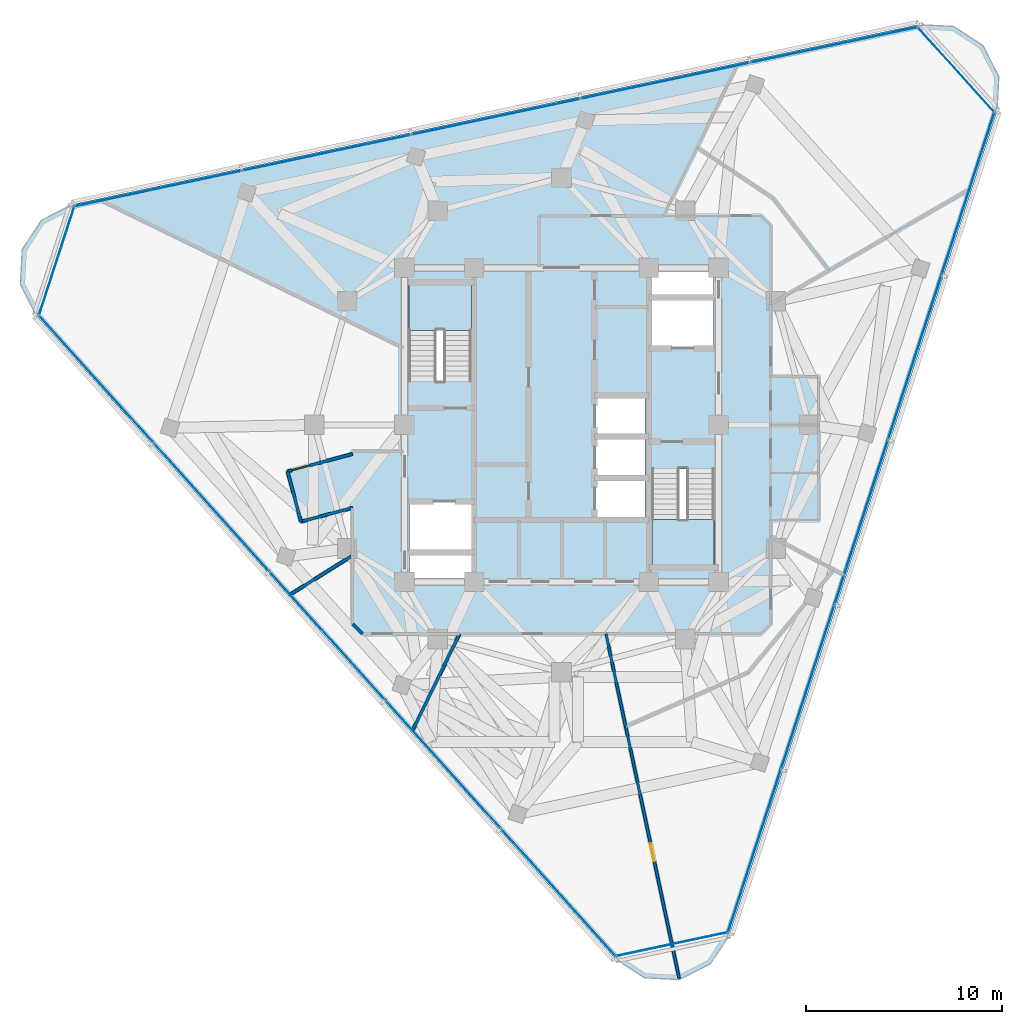
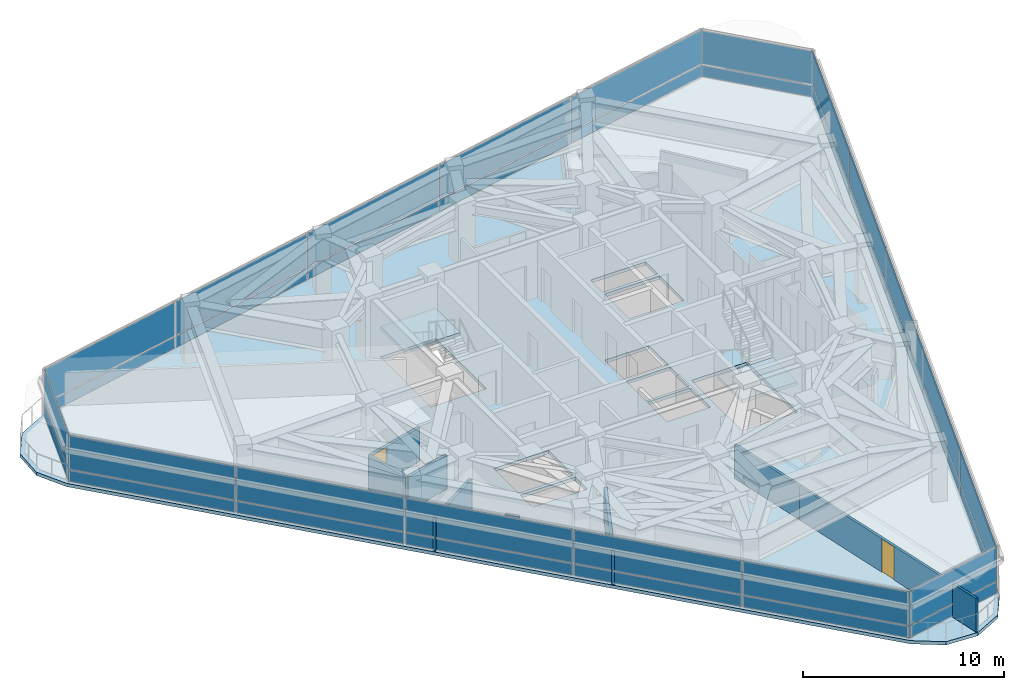
# One storey, part 7 of 15: 36 plates, 8 walls, 3 slabs, 2 doors, 2 openings, 8 elements without a shape of their own.
"""IFC4 building model written with IfcOpenShell, lengths in metres."""

from ifc_helpers import new_model, si_unit, direction, frame, frame_2d, origin, origin_2d, place, context, subcontext, project, spatial, polyline, rectangle, outline, extrude, material, layer, layer_set, type_object, element, fill, aggregate, save


model = new_model("IFC4")

# Units and contexts
model_context = context("Model", 3, precision=1e-05, world=origin(), true_north=direction((0.0, 1.0)))
body_context = subcontext(model_context, "Body", "Model", "MODEL_VIEW")
ifc_project = project(units=[si_unit("LENGTHUNIT", "METRE"), si_unit("AREAUNIT", "SQUARE_METRE"), si_unit("VOLUMEUNIT", "CUBIC_METRE"), si_unit("PLANEANGLEUNIT", "RADIAN"), si_unit("MASSUNIT", "GRAM", prefix="KILO")], contexts=[model_context])

# Site, building, storey
site_placement = place(None, origin())
site = spatial("IfcSite", under=ifc_project, at=site_placement, CompositionType="ELEMENT")
building_placement = place(site_placement, origin())
building = spatial("IfcBuilding", under=site, at=building_placement, Name="Terralouvre Media Tower", CompositionType="ELEMENT")
storey_placement = place(building_placement, frame((0.0, 0.0, 309.10009765625)))
storey = spatial("IfcBuildingStorey", under=building, at=storey_placement, Name="L80", CompositionType="ELEMENT", Elevation=309.10009765625)

# Slab
ifc_material_1 = material(Name="Concrete C40/50", Category="concrete")
ifc_layer_1 = layer(ifc_material_1, 0.199951171875, Name="Composite Tower Floor Slab S-TYP200")
ifc_layer_set_1 = layer_set([ifc_layer_1], Name="Concrete C40/50")
slab_type_1 = type_object("IfcSlabType", Name="Composite Tower Floor Slab S-TYP200", PredefinedType="FLOOR", material=ifc_layer_set_1)
slab_1_placement = place(storey_placement, frame((0.0, 0.0, -0.2001953125), z_axis=(0.0, 0.0, 1.0), x_axis=(0.309016994375, 0.951056516295, 0.0)))
element("IfcSlab", 1, at=slab_1_placement, inside=storey, type_object=slab_type_1, Name="L80 Structural Floor Slab", PredefinedType="FLOOR", context=body_context, shape_type="SweptSolid", body=[
    extrude(outline(polyline([(-25.0390625, -11.016357421875), (-25.5, -12.736328125), (-25.0390625, -14.456298828125), (-23.780029296875, -15.715576171875), (-22.06005859375, -16.17626953125), (22.06005859375, -16.17626953125), (23.780029296875, -15.715576171875), (25.0390625, -14.456298828125), (25.5, -12.736328125), (25.0390625, -11.016357421875), (2.97900390625, 27.192626953125), (1.719970703125, 28.451904296875), (0.0, 28.91259765625), (-1.719970703125, 28.451904296875), (-2.97900390625, 27.192626953125), (-25.0390625, -11.016357421875)]), holes=[polyline([(-7.698486328125, 2.33544921875), (-8.839599609375, 1.964599609375), (-9.813232421875, 4.96044921875), (-8.671875, 5.3310546875), (-7.698486328125, 2.33544921875)]), polyline([(-5.17822265625, 3.154296875), (-7.50830078125, 2.397216796875), (-8.481689453125, 5.39306640625), (-6.151611328125, 6.150146484375), (-5.17822265625, 3.154296875)]), polyline([(-5.483154296875, -6.618408203125), (-0.713623046875, -5.068603515625), (0.26904296875, -8.093017578125), (-4.50048828125, -9.642578125), (-5.483154296875, -6.618408203125)]), polyline([(-1.33056640625, -4.901123046875), (-3.17578125, -5.50048828125), (-3.9482421875, -3.122802734375), (-2.103271484375, -2.5234375), (-1.33056640625, -4.901123046875)]), polyline([(0.66650390625, -4.252197265625), (-1.178466796875, -4.8515625), (-1.950927734375, -2.473876953125), (-0.10595703125, -1.87451171875), (0.66650390625, -4.252197265625)]), polyline([(2.663818359375, -3.603271484375), (0.81884765625, -4.20263671875), (0.046142578125, -1.824951171875), (1.891357421875, -1.2255859375), (2.663818359375, -3.603271484375)]), polyline([(5.483154296875, 6.618408203125), (0.713623046875, 5.068603515625), (-0.26904296875, 8.093017578125), (4.50048828125, 9.642578125), (5.483154296875, 6.618408203125)]), polyline([(6.151611328125, -6.150146484375), (5.17822265625, -3.154296875), (7.50830078125, -2.397216796875), (8.481689453125, -5.39306640625), (6.151611328125, -6.150146484375)]), polyline([(8.671875, -5.3310546875), (7.698486328125, -2.33544921875), (8.839599609375, -1.964599609375), (9.813232421875, -4.96044921875), (8.671875, -5.3310546875)])]), origin(), (0.0, 0.0, 1.0), 0.2001953125),
])

# Stair, slab
ifc_material_2 = material(Name="Concrete C45/55", Category="concrete")
stair_type_1 = type_object("IfcStairType", Name="Dogleg Stair Assembly ST-01", PredefinedType="HALF_TURN_STAIR", material=ifc_material_2)
stair_1_placement = place(storey_placement, origin())
stair_1 = element("IfcStair", 2, at=stair_1_placement, inside=storey, type_object=stair_type_1, Name="L80 Core Pressurised Exit Stair ST-01", PredefinedType="HALF_TURN_STAIR")
ifc_material_3 = material(Name="Concrete C45/55", Category="concrete")
ifc_layer_2 = layer(ifc_material_3, 0.199951171875, Name="Reinforced Concrete Stair Half-Landing SL-LD1")
ifc_layer_set_2 = layer_set([ifc_layer_2], Name="Concrete C45/55")
slab_type_2 = type_object("IfcSlabType", Name="Reinforced Concrete Stair Half-Landing SL-LD1", PredefinedType="LANDING", material=ifc_layer_set_2)
slab_2_placement = place(storey_placement, frame((0.0, 0.0, 1.64990234375)))
slab_2 = element("IfcSlab", 3, at=slab_2_placement, type_object=slab_type_2, Name="ST-01 landing 1", PredefinedType="LANDING", context=body_context, shape_type="SweptSolid", body=[
    extrude(outline(polyline([(-4.60009765625, 4.820068359375), (-4.60009765625, 7.260009765625), (-7.780029296875, 7.260009765625), (-7.780029296875, 4.820068359375), (-4.60009765625, 4.820068359375)])), origin(), (0.0, 0.0, 1.0), 0.199951171875),
])
aggregate(stair_1, [slab_2])

ifc_material_4 = material(Name="Concrete C45/55", Category="concrete")
stair_type_2 = type_object("IfcStairType", Name="Dogleg Stair Assembly ST-02", PredefinedType="HALF_TURN_STAIR", material=ifc_material_4)
stair_2_placement = place(storey_placement, origin())
stair_2 = element("IfcStair", 4, at=stair_2_placement, inside=storey, type_object=stair_type_2, Name="L80 Core Pressurised Exit Stair ST-02", PredefinedType="HALF_TURN_STAIR")
slab_3_placement = place(storey_placement, frame((0.0, 0.0, 1.64990234375)))
slab_3 = element("IfcSlab", 5, at=slab_3_placement, type_object=slab_type_2, Name="ST-02 landing 1", PredefinedType="LANDING", context=body_context, shape_type="SweptSolid", body=[
    extrude(outline(polyline([(4.60009765625, -4.820068359375), (4.60009765625, -7.260009765625), (7.780029296875, -7.260009765625), (7.780029296875, -4.820068359375), (4.60009765625, -4.820068359375)])), origin(), (0.0, 0.0, 1.0), 0.199951171875),
])
aggregate(stair_2, [slab_3])

# Curtain wall, plates
ifc_material_5 = material(Name="Low-iron laminated double glazing with solar-control coating", Category="glass")
ifc_layer_3 = layer(ifc_material_5, 0.1650390625, Name="Rounded Wind-Corner Curved Glazing CW-04")
ifc_layer_set_3 = layer_set([ifc_layer_3], Name="Low-iron laminated double glazing with solar-control coating")
curtain_wall_type_1 = type_object("IfcCurtainWallType", Name="Rounded Wind-Corner Curved Glazing CW-04", PredefinedType="NOTDEFINED", material=ifc_layer_set_3)
curtain_wall_1_placement = place(storey_placement, origin())
curtain_wall_1 = element("IfcCurtainWall", 6, at=curtain_wall_1_placement, inside=storey, type_object=curtain_wall_type_1, Name="L80 Rounded Wind-Corner Curtain Wall C0", PredefinedType="NOTDEFINED")
ifc_material_6 = material(Name="Low-iron laminated double glazing with solar-control coating", Category="glass")
ifc_layer_4 = layer(ifc_material_6, 0.0400390625, Name="Rounded Corner Laminated Vision Panel CWP-03")
ifc_layer_set_4 = layer_set([ifc_layer_4], Name="Low-iron laminated double glazing with solar-control coating")
plate_type_1 = type_object("IfcPlateType", Name="Rounded Corner Laminated Vision Panel CWP-03", PredefinedType="CURTAIN_PANEL", material=ifc_layer_set_4)
plate_1_placement = place(storey_placement, frame((5.62451171875, -26.46142578125, 0.074951171875), z_axis=(0.0, 0.0, 1.0), x_axis=(0.978147609922, 0.207911647592, 0.0)))
plate_1 = element("IfcPlate", 7, at=plate_1_placement, type_object=plate_type_1, Name="CW-04 panel 1.1", PredefinedType="CURTAIN_PANEL", context=body_context, shape_type="SweptSolid", body=[
    extrude(rectangle(XDim=5.808349609375, YDim=0.035888671875, at=origin_2d()), origin(), (0.0, 0.0, 1.0), 0.6875),
])
plate_2_placement = place(storey_placement, frame((5.62451171875, -26.46142578125, 0.83740234375), z_axis=(0.0, 0.0, 1.0), x_axis=(0.978147609922, 0.207911647592, 0.0)))
plate_2 = element("IfcPlate", 8, at=plate_2_placement, type_object=plate_type_1, Name="CW-04 panel 1.2", PredefinedType="CURTAIN_PANEL", context=body_context, shape_type="SweptSolid", body=[
    extrude(rectangle(XDim=5.808349609375, YDim=0.035888671875, at=origin_2d()), origin(), (0.0, 0.0, 1.0), 2.027587890625),
])
aggregate(curtain_wall_1, [plate_1, plate_2])

curtain_wall_2_placement = place(storey_placement, origin())
curtain_wall_2 = element("IfcCurtainWall", 9, at=curtain_wall_2_placement, inside=storey, type_object=curtain_wall_type_1, Name="L80 Rounded Wind-Corner Curtain Wall C1", PredefinedType="NOTDEFINED")
plate_3_placement = place(storey_placement, frame((20.10400390625, 18.101806640625, 0.074951171875), z_axis=(0.0, 0.0, 1.0), x_axis=(-0.669130231192, 0.743145163279, 0.0)))
plate_3 = element("IfcPlate", 10, at=plate_3_placement, type_object=plate_type_1, Name="CW-04 panel 1.1", PredefinedType="CURTAIN_PANEL", context=body_context, shape_type="SweptSolid", body=[
    extrude(rectangle(XDim=5.808349609375, YDim=0.035888671875, at=origin_2d()), origin(), (0.0, 0.0, 1.0), 0.6875),
])
plate_4_placement = place(storey_placement, frame((20.10400390625, 18.101806640625, 0.83740234375), z_axis=(0.0, 0.0, 1.0), x_axis=(-0.669130231192, 0.743145163279, 0.0)))
plate_4 = element("IfcPlate", 11, at=plate_4_placement, type_object=plate_type_1, Name="CW-04 panel 1.2", PredefinedType="CURTAIN_PANEL", context=body_context, shape_type="SweptSolid", body=[
    extrude(rectangle(XDim=5.808349609375, YDim=0.035888671875, at=origin_2d()), origin(), (0.0, 0.0, 1.0), 2.027587890625),
])
aggregate(curtain_wall_2, [plate_3, plate_4])

curtain_wall_3_placement = place(storey_placement, origin())
curtain_wall_3 = element("IfcCurtainWall", 12, at=curtain_wall_3_placement, inside=storey, type_object=curtain_wall_type_1, Name="L80 Rounded Wind-Corner Curtain Wall C2", PredefinedType="NOTDEFINED")
plate_5_placement = place(storey_placement, frame((-25.728759765625, 8.359619140625, 0.074951171875), z_axis=(0.0, 0.0, 1.0), x_axis=(-0.30901654693, -0.951056661679, 0.0)))
plate_5 = element("IfcPlate", 13, at=plate_5_placement, type_object=plate_type_1, Name="CW-04 panel 1.1", PredefinedType="CURTAIN_PANEL", context=body_context, shape_type="SweptSolid", body=[
    extrude(rectangle(XDim=5.808349609375, YDim=0.035888671875, at=origin_2d()), origin(), (0.0, 0.0, 1.0), 0.6875),
])
plate_6_placement = place(storey_placement, frame((-25.728759765625, 8.359619140625, 0.83740234375), z_axis=(0.0, 0.0, 1.0), x_axis=(-0.30901654693, -0.951056661679, 0.0)))
plate_6 = element("IfcPlate", 14, at=plate_6_placement, type_object=plate_type_1, Name="CW-04 panel 1.2", PredefinedType="CURTAIN_PANEL", context=body_context, shape_type="SweptSolid", body=[
    extrude(rectangle(XDim=5.808349609375, YDim=0.035888671875, at=origin_2d()), origin(), (0.0, 0.0, 1.0), 2.027587890625),
])
aggregate(curtain_wall_3, [plate_5, plate_6])

ifc_material_7 = material(Name="Low-iron laminated double glazing with solar-control coating", Category="glass")
ifc_layer_5 = layer(ifc_material_7, 0.1650390625, Name="Faceted Glass-Point Crown Curtain Wall CW-06")
ifc_layer_set_5 = layer_set([ifc_layer_5], Name="Low-iron laminated double glazing with solar-control coating")
curtain_wall_type_2 = type_object("IfcCurtainWallType", Name="Faceted Glass-Point Crown Curtain Wall CW-06", PredefinedType="NOTDEFINED", material=ifc_layer_set_5)
curtain_wall_4_placement = place(storey_placement, origin())
curtain_wall_4 = element("IfcCurtainWall", 15, at=curtain_wall_4_placement, inside=storey, type_object=curtain_wall_type_2, Name="L80 Facade Curtain Wall F0", PredefinedType="NOTDEFINED")
ifc_material_8 = material(Name="Low-iron laminated double glazing with solar-control coating", Category="glass")
ifc_layer_6 = layer(ifc_material_8, 0.035888671875, Name="Vision Double-Glazed Unit CWP-01")
ifc_layer_set_6 = layer_set([ifc_layer_6], Name="Low-iron laminated double glazing with solar-control coating")
plate_type_2 = type_object("IfcPlateType", Name="Vision Double-Glazed Unit CWP-01", PredefinedType="CURTAIN_PANEL", material=ifc_layer_set_6)
plate_7_placement = place(storey_placement, frame((9.82275390625, -21.72802734375, 0.074951171875), z_axis=(0.0, 0.0, 1.0), x_axis=(0.309017021946, 0.951056507337, 0.0)))
plate_7 = element("IfcPlate", 16, at=plate_7_placement, type_object=plate_type_2, Name="CW-06 panel 1.1", PredefinedType="CURTAIN_PANEL", context=body_context, shape_type="SweptSolid", body=[
    extrude(rectangle(XDim=8.71142578125, YDim=0.035888671875, at=origin_2d()), origin(), (0.0, 0.0, 1.0), 0.6875),
])
plate_8_placement = place(storey_placement, frame((9.82275390625, -21.72802734375, 0.83740234375), z_axis=(0.0, 0.0, 1.0), x_axis=(0.309017021946, 0.951056507337, 0.0)))
plate_8 = element("IfcPlate", 17, at=plate_8_placement, type_object=plate_type_2, Name="CW-06 panel 1.2", PredefinedType="CURTAIN_PANEL", context=body_context, shape_type="SweptSolid", body=[
    extrude(rectangle(XDim=8.71142578125, YDim=0.035888671875, at=origin_2d()), origin(), (0.0, 0.0, 1.0), 2.027587890625),
])
plate_9_placement = place(storey_placement, frame((12.543701171875, -13.353759765625, 0.074951171875), z_axis=(0.0, 0.0, 1.0), x_axis=(0.309017021946, 0.951056507337, 0.0)))
plate_9 = element("IfcPlate", 18, at=plate_9_placement, type_object=plate_type_2, Name="CW-06 panel 2.1", PredefinedType="CURTAIN_PANEL", context=body_context, shape_type="SweptSolid", body=[
    extrude(rectangle(XDim=8.7490234375, YDim=0.035888671875, at=origin_2d()), origin(), (0.0, 0.0, 1.0), 0.6875),
])
plate_10_placement = place(storey_placement, frame((12.543701171875, -13.353759765625, 0.83740234375), z_axis=(0.0, 0.0, 1.0), x_axis=(0.309017021946, 0.951056507337, 0.0)))
plate_10 = element("IfcPlate", 19, at=plate_10_placement, type_object=plate_type_2, Name="CW-06 panel 2.2", PredefinedType="CURTAIN_PANEL", context=body_context, shape_type="SweptSolid", body=[
    extrude(rectangle(XDim=8.7490234375, YDim=0.035888671875, at=origin_2d()), origin(), (0.0, 0.0, 1.0), 2.027587890625),
])
plate_11_placement = place(storey_placement, frame((15.2705078125, -4.961669921875, 0.074951171875), z_axis=(0.0, 0.0, 1.0), x_axis=(0.309017021946, 0.951056507337, 0.0)))
plate_11 = element("IfcPlate", 20, at=plate_11_placement, type_object=plate_type_2, Name="CW-06 panel 3.1", PredefinedType="CURTAIN_PANEL", context=body_context, shape_type="SweptSolid", body=[
    extrude(rectangle(XDim=8.7490234375, YDim=0.035888671875, at=origin_2d()), origin(), (0.0, 0.0, 1.0), 0.6875),
])
plate_12_placement = place(storey_placement, frame((15.2705078125, -4.961669921875, 0.83740234375), z_axis=(0.0, 0.0, 1.0), x_axis=(0.309017021946, 0.951056507337, 0.0)))
plate_12 = element("IfcPlate", 21, at=plate_12_placement, type_object=plate_type_2, Name="CW-06 panel 3.2", PredefinedType="CURTAIN_PANEL", context=body_context, shape_type="SweptSolid", body=[
    extrude(rectangle(XDim=8.7490234375, YDim=0.035888671875, at=origin_2d()), origin(), (0.0, 0.0, 1.0), 2.027587890625),
])
plate_13_placement = place(storey_placement, frame((17.997314453125, 3.430419921875, 0.074951171875), z_axis=(0.0, 0.0, 1.0), x_axis=(0.309017021946, 0.951056507337, 0.0)))
plate_13 = element("IfcPlate", 22, at=plate_13_placement, type_object=plate_type_2, Name="CW-06 panel 4.1", PredefinedType="CURTAIN_PANEL", context=body_context, shape_type="SweptSolid", body=[
    extrude(rectangle(XDim=8.7490234375, YDim=0.035888671875, at=origin_2d()), origin(), (0.0, 0.0, 1.0), 0.6875),
])
plate_14_placement = place(storey_placement, frame((17.997314453125, 3.430419921875, 0.83740234375), z_axis=(0.0, 0.0, 1.0), x_axis=(0.309017021946, 0.951056507337, 0.0)))
plate_14 = element("IfcPlate", 23, at=plate_14_placement, type_object=plate_type_2, Name="CW-06 panel 4.2", PredefinedType="CURTAIN_PANEL", context=body_context, shape_type="SweptSolid", body=[
    extrude(rectangle(XDim=8.7490234375, YDim=0.035888671875, at=origin_2d()), origin(), (0.0, 0.0, 1.0), 2.027587890625),
])
plate_15_placement = place(storey_placement, frame((20.71826171875, 11.8046875, 0.074951171875), z_axis=(0.0, 0.0, 1.0), x_axis=(0.309017021946, 0.951056507337, 0.0)))
plate_15 = element("IfcPlate", 24, at=plate_15_placement, type_object=plate_type_2, Name="CW-06 panel 5.1", PredefinedType="CURTAIN_PANEL", context=body_context, shape_type="SweptSolid", body=[
    extrude(rectangle(XDim=8.71142578125, YDim=0.035888671875, at=origin_2d()), origin(), (0.0, 0.0, 1.0), 0.6875),
])
plate_16_placement = place(storey_placement, frame((20.71826171875, 11.8046875, 0.83740234375), z_axis=(0.0, 0.0, 1.0), x_axis=(0.309017021946, 0.951056507337, 0.0)))
plate_16 = element("IfcPlate", 25, at=plate_16_placement, type_object=plate_type_2, Name="CW-06 panel 5.2", PredefinedType="CURTAIN_PANEL", context=body_context, shape_type="SweptSolid", body=[
    extrude(rectangle(XDim=8.71142578125, YDim=0.035888671875, at=origin_2d()), origin(), (0.0, 0.0, 1.0), 2.027587890625),
])
aggregate(curtain_wall_4, [plate_7, plate_8, plate_9, plate_10, plate_11, plate_12, plate_13, plate_14, plate_15, plate_16])

curtain_wall_5_placement = place(storey_placement, origin())
curtain_wall_5 = element("IfcCurtainWall", 26, at=curtain_wall_5_placement, inside=storey, type_object=curtain_wall_type_2, Name="L80 Facade Curtain Wall F1", PredefinedType="NOTDEFINED")
plate_17_placement = place(storey_placement, frame((13.90576171875, 19.370849609375, 0.074951171875), z_axis=(0.0, 0.0, 1.0), x_axis=(-0.978147616145, -0.207911618313, 0.0)))
plate_17 = element("IfcPlate", 27, at=plate_17_placement, type_object=plate_type_2, Name="CW-06 panel 1.1", PredefinedType="CURTAIN_PANEL", context=body_context, shape_type="SweptSolid", body=[
    extrude(rectangle(XDim=8.71142578125, YDim=0.035888671875, at=origin_2d()), origin(), (0.0, 0.0, 1.0), 0.6875),
])
plate_18_placement = place(storey_placement, frame((13.90576171875, 19.370849609375, 0.83740234375), z_axis=(0.0, 0.0, 1.0), x_axis=(-0.978147616145, -0.207911618313, 0.0)))
plate_18 = element("IfcPlate", 28, at=plate_18_placement, type_object=plate_type_2, Name="CW-06 panel 1.2", PredefinedType="CURTAIN_PANEL", context=body_context, shape_type="SweptSolid", body=[
    extrude(rectangle(XDim=8.71142578125, YDim=0.035888671875, at=origin_2d()), origin(), (0.0, 0.0, 1.0), 2.027587890625),
])
plate_19_placement = place(storey_placement, frame((5.29296875, 17.5400390625, 0.074951171875), z_axis=(0.0, 0.0, 1.0), x_axis=(-0.978147616145, -0.207911618313, 0.0)))
plate_19 = element("IfcPlate", 29, at=plate_19_placement, type_object=plate_type_2, Name="CW-06 panel 2.1", PredefinedType="CURTAIN_PANEL", context=body_context, shape_type="SweptSolid", body=[
    extrude(rectangle(XDim=8.7490234375, YDim=0.035888671875, at=origin_2d()), origin(), (0.0, 0.0, 1.0), 0.6875),
])
plate_20_placement = place(storey_placement, frame((5.29296875, 17.5400390625, 0.83740234375), z_axis=(0.0, 0.0, 1.0), x_axis=(-0.978147616145, -0.207911618313, 0.0)))
plate_20 = element("IfcPlate", 30, at=plate_20_placement, type_object=plate_type_2, Name="CW-06 panel 2.2", PredefinedType="CURTAIN_PANEL", context=body_context, shape_type="SweptSolid", body=[
    extrude(rectangle(XDim=8.7490234375, YDim=0.035888671875, at=origin_2d()), origin(), (0.0, 0.0, 1.0), 2.027587890625),
])
plate_21_placement = place(storey_placement, frame((-3.33837890625, 15.70556640625, 0.074951171875), z_axis=(0.0, 0.0, 1.0), x_axis=(-0.978147616145, -0.207911618313, 0.0)))
plate_21 = element("IfcPlate", 31, at=plate_21_placement, type_object=plate_type_2, Name="CW-06 panel 3.1", PredefinedType="CURTAIN_PANEL", context=body_context, shape_type="SweptSolid", body=[
    extrude(rectangle(XDim=8.7490234375, YDim=0.035888671875, at=origin_2d()), origin(), (0.0, 0.0, 1.0), 0.6875),
])
plate_22_placement = place(storey_placement, frame((-3.33837890625, 15.70556640625, 0.83740234375), z_axis=(0.0, 0.0, 1.0), x_axis=(-0.978147616145, -0.207911618313, 0.0)))
plate_22 = element("IfcPlate", 32, at=plate_22_placement, type_object=plate_type_2, Name="CW-06 panel 3.2", PredefinedType="CURTAIN_PANEL", context=body_context, shape_type="SweptSolid", body=[
    extrude(rectangle(XDim=8.7490234375, YDim=0.035888671875, at=origin_2d()), origin(), (0.0, 0.0, 1.0), 2.027587890625),
])
plate_23_placement = place(storey_placement, frame((-11.969482421875, 13.870849609375, 0.074951171875), z_axis=(0.0, 0.0, 1.0), x_axis=(-0.978147616145, -0.207911618313, 0.0)))
plate_23 = element("IfcPlate", 33, at=plate_23_placement, type_object=plate_type_2, Name="CW-06 panel 4.1", PredefinedType="CURTAIN_PANEL", context=body_context, shape_type="SweptSolid", body=[
    extrude(rectangle(XDim=8.7490234375, YDim=0.035888671875, at=origin_2d()), origin(), (0.0, 0.0, 1.0), 0.6875),
])
plate_24_placement = place(storey_placement, frame((-11.969482421875, 13.870849609375, 0.83740234375), z_axis=(0.0, 0.0, 1.0), x_axis=(-0.978147616145, -0.207911618313, 0.0)))
plate_24 = element("IfcPlate", 34, at=plate_24_placement, type_object=plate_type_2, Name="CW-06 panel 4.2", PredefinedType="CURTAIN_PANEL", context=body_context, shape_type="SweptSolid", body=[
    extrude(rectangle(XDim=8.7490234375, YDim=0.035888671875, at=origin_2d()), origin(), (0.0, 0.0, 1.0), 2.027587890625),
])
plate_25_placement = place(storey_placement, frame((-20.582275390625, 12.0400390625, 0.074951171875), z_axis=(0.0, 0.0, 1.0), x_axis=(-0.978147616145, -0.207911618313, 0.0)))
plate_25 = element("IfcPlate", 35, at=plate_25_placement, type_object=plate_type_2, Name="CW-06 panel 5.1", PredefinedType="CURTAIN_PANEL", context=body_context, shape_type="SweptSolid", body=[
    extrude(rectangle(XDim=8.71142578125, YDim=0.035888671875, at=origin_2d()), origin(), (0.0, 0.0, 1.0), 0.6875),
])
plate_26_placement = place(storey_placement, frame((-20.582275390625, 12.0400390625, 0.83740234375), z_axis=(0.0, 0.0, 1.0), x_axis=(-0.978147616145, -0.207911618313, 0.0)))
plate_26 = element("IfcPlate", 36, at=plate_26_placement, type_object=plate_type_2, Name="CW-06 panel 5.2", PredefinedType="CURTAIN_PANEL", context=body_context, shape_type="SweptSolid", body=[
    extrude(rectangle(XDim=8.71142578125, YDim=0.035888671875, at=origin_2d()), origin(), (0.0, 0.0, 1.0), 2.027587890625),
])
aggregate(curtain_wall_5, [plate_17, plate_18, plate_19, plate_20, plate_21, plate_22, plate_23, plate_24, plate_25, plate_26])

curtain_wall_6_placement = place(storey_placement, origin())
curtain_wall_6 = element("IfcCurtainWall", 37, at=curtain_wall_6_placement, inside=storey, type_object=curtain_wall_type_2, Name="L80 Facade Curtain Wall F2", PredefinedType="NOTDEFINED")
plate_27_placement = place(storey_placement, frame((-23.728515625, 2.357177734375, 0.074951171875), z_axis=(0.0, 0.0, 1.0), x_axis=(0.669130573531, -0.743144855036, 0.0)))
plate_27 = element("IfcPlate", 38, at=plate_27_placement, type_object=plate_type_2, Name="CW-06 panel 1.1", PredefinedType="CURTAIN_PANEL", context=body_context, shape_type="SweptSolid", body=[
    extrude(rectangle(XDim=8.71142578125, YDim=0.035888671875, at=origin_2d()), origin(), (0.0, 0.0, 1.0), 0.6875),
])
plate_28_placement = place(storey_placement, frame((-23.728515625, 2.357177734375, 0.83740234375), z_axis=(0.0, 0.0, 1.0), x_axis=(0.669130573531, -0.743144855036, 0.0)))
plate_28 = element("IfcPlate", 39, at=plate_28_placement, type_object=plate_type_2, Name="CW-06 panel 1.2", PredefinedType="CURTAIN_PANEL", context=body_context, shape_type="SweptSolid", body=[
    extrude(rectangle(XDim=8.71142578125, YDim=0.035888671875, at=origin_2d()), origin(), (0.0, 0.0, 1.0), 2.027587890625),
])
plate_29_placement = place(storey_placement, frame((-17.836669921875, -4.186279296875, 0.074951171875), z_axis=(0.0, 0.0, 1.0), x_axis=(0.669130573531, -0.743144855036, 0.0)))
plate_29 = element("IfcPlate", 40, at=plate_29_placement, type_object=plate_type_2, Name="CW-06 panel 2.1", PredefinedType="CURTAIN_PANEL", context=body_context, shape_type="SweptSolid", body=[
    extrude(rectangle(XDim=8.7490234375, YDim=0.035888671875, at=origin_2d()), origin(), (0.0, 0.0, 1.0), 0.6875),
])
plate_30_placement = place(storey_placement, frame((-17.836669921875, -4.186279296875, 0.83740234375), z_axis=(0.0, 0.0, 1.0), x_axis=(0.669130573531, -0.743144855036, 0.0)))
plate_30 = element("IfcPlate", 41, at=plate_30_placement, type_object=plate_type_2, Name="CW-06 panel 2.2", PredefinedType="CURTAIN_PANEL", context=body_context, shape_type="SweptSolid", body=[
    extrude(rectangle(XDim=8.7490234375, YDim=0.035888671875, at=origin_2d()), origin(), (0.0, 0.0, 1.0), 2.027587890625),
])
plate_31_placement = place(storey_placement, frame((-11.93212890625, -10.743896484375, 0.074951171875), z_axis=(0.0, 0.0, 1.0), x_axis=(0.669130573531, -0.743144855036, 0.0)))
plate_31 = element("IfcPlate", 42, at=plate_31_placement, type_object=plate_type_2, Name="CW-06 panel 3.1", PredefinedType="CURTAIN_PANEL", context=body_context, shape_type="SweptSolid", body=[
    extrude(rectangle(XDim=8.7490234375, YDim=0.035888671875, at=origin_2d()), origin(), (0.0, 0.0, 1.0), 0.6875),
])
plate_32_placement = place(storey_placement, frame((-11.93212890625, -10.743896484375, 0.83740234375), z_axis=(0.0, 0.0, 1.0), x_axis=(0.669130573531, -0.743144855036, 0.0)))
plate_32 = element("IfcPlate", 43, at=plate_32_placement, type_object=plate_type_2, Name="CW-06 panel 3.2", PredefinedType="CURTAIN_PANEL", context=body_context, shape_type="SweptSolid", body=[
    extrude(rectangle(XDim=8.7490234375, YDim=0.035888671875, at=origin_2d()), origin(), (0.0, 0.0, 1.0), 2.027587890625),
])
plate_33_placement = place(storey_placement, frame((-6.02783203125, -17.30126953125, 0.074951171875), z_axis=(0.0, 0.0, 1.0), x_axis=(0.669130573531, -0.743144855036, 0.0)))
plate_33 = element("IfcPlate", 44, at=plate_33_placement, type_object=plate_type_2, Name="CW-06 panel 4.1", PredefinedType="CURTAIN_PANEL", context=body_context, shape_type="SweptSolid", body=[
    extrude(rectangle(XDim=8.7490234375, YDim=0.035888671875, at=origin_2d()), origin(), (0.0, 0.0, 1.0), 0.6875),
])
plate_34_placement = place(storey_placement, frame((-6.02783203125, -17.30126953125, 0.83740234375), z_axis=(0.0, 0.0, 1.0), x_axis=(0.669130573531, -0.743144855036, 0.0)))
plate_34 = element("IfcPlate", 45, at=plate_34_placement, type_object=plate_type_2, Name="CW-06 panel 4.2", PredefinedType="CURTAIN_PANEL", context=body_context, shape_type="SweptSolid", body=[
    extrude(rectangle(XDim=8.7490234375, YDim=0.035888671875, at=origin_2d()), origin(), (0.0, 0.0, 1.0), 2.027587890625),
])
plate_35_placement = place(storey_placement, frame((-0.135986328125, -23.844970703125, 0.074951171875), z_axis=(0.0, 0.0, 1.0), x_axis=(0.669130573531, -0.743144855036, 0.0)))
plate_35 = element("IfcPlate", 46, at=plate_35_placement, type_object=plate_type_2, Name="CW-06 panel 5.1", PredefinedType="CURTAIN_PANEL", context=body_context, shape_type="SweptSolid", body=[
    extrude(rectangle(XDim=8.71142578125, YDim=0.035888671875, at=origin_2d()), origin(), (0.0, 0.0, 1.0), 0.6875),
])
plate_36_placement = place(storey_placement, frame((-0.135986328125, -23.844970703125, 0.83740234375), z_axis=(0.0, 0.0, 1.0), x_axis=(0.669130573531, -0.743144855036, 0.0)))
plate_36 = element("IfcPlate", 47, at=plate_36_placement, type_object=plate_type_2, Name="CW-06 panel 5.2", PredefinedType="CURTAIN_PANEL", context=body_context, shape_type="SweptSolid", body=[
    extrude(rectangle(XDim=8.71142578125, YDim=0.035888671875, at=origin_2d()), origin(), (0.0, 0.0, 1.0), 2.027587890625),
])
aggregate(curtain_wall_6, [plate_27, plate_28, plate_29, plate_30, plate_31, plate_32, plate_33, plate_34, plate_35, plate_36])

# Wall, opening, door
ifc_material_9 = material(Name="Fire-rated gypsum board drywall partition")
ifc_layer_7 = layer(ifc_material_9, 0.135009765625, Name="Newsroom Acoustic Partition PT-135")
ifc_layer_set_7 = layer_set([ifc_layer_7], Name="Fire-rated gypsum board drywall partition")
wall_type_1 = type_object("IfcWallType", Name="Newsroom Acoustic Partition PT-135", PredefinedType="PARTITIONING", material=ifc_layer_set_7)
wall_1_placement = place(storey_placement, frame((5.99365234375, -28.19970703125, 0.0), z_axis=(0.0, 0.0, 1.0), x_axis=(-0.207870549956, 0.97815634459, 0.0)))
wall_1 = element("IfcWall", 48, at=wall_1_placement, inside=storey, type_object=wall_type_1, Name="L80 Interior Partition 026", PredefinedType="PARTITIONING", context=body_context, shape_type="SweptSolid", body=[
    extrude(rectangle(XDim=13.121337890625, YDim=0.135009765625, at=frame_2d((6.560546875, 0.0))), origin(), (0.0, 0.0, 1.0), 2.039794921875),
])
opening_1_placement = place(wall_1_placement, frame((6.1005859375, 0.0, 0.0)))
opening_1 = element("IfcOpeningElement", 49, at=opening_1_placement, cuts=wall_1, Name="Opening FD-05", PredefinedType="OPENING", context=body_context, shape_type="SweptSolid", body=[
    extrude(rectangle(XDim=0.919921875, YDim=2.0, at=frame_2d((0.4599609375, 1.0))), frame((0.0, 0.077392578125, 0.0), z_axis=(0.0, -1.0, 0.0), x_axis=(1.0, 0.0, 0.0)), (0.0, 0.0, 1.0), 0.155029296875),
])
ifc_material_10 = material(Name="Galvanised steel fire-resisting leaf", Category="steel")
door_type_1 = type_object("IfcDoorType", Name="Core Accessible Closet Fire Door FD-05", OperationType="NOTDEFINED", PredefinedType="DOOR", material=ifc_material_10)
door_1_placement = place(opening_1_placement, origin())
door_1 = element("IfcDoor", 50, at=door_1_placement, inside=storey, type_object=door_type_1, Name="L80 Vinyl and Score Music Library 4 Door", OperationType="SINGLE_SWING_RIGHT", OverallHeight=2.0, OverallWidth=0.919921875, PredefinedType="DOOR", context=body_context, shape_type="SweptSolid", body=[
    extrude(rectangle(XDim=0.919921875, YDim=2.0, at=frame_2d((0.4599609375, 1.0))), frame((0.0, 0.02490234375, 0.0), z_axis=(0.0, -1.0, 0.0), x_axis=(1.0, 0.0, 0.0)), (0.0, 0.0, 1.0), 0.050048828125),
])
fill(opening_1, door_1)

# Wall
wall_2_placement = place(storey_placement, frame((3.26611328125, -15.364990234375, 0.0), z_axis=(0.0, 0.0, 1.0), x_axis=(-0.207906608775, 0.978148680942, 0.0)))
element("IfcWall", 51, at=wall_2_placement, inside=storey, type_object=wall_type_1, Name="L80 Interior Partition 027", PredefinedType="PARTITIONING", context=body_context, shape_type="SweptSolid", body=[
    extrude(rectangle(XDim=4.8203125, YDim=0.135009765625, at=frame_2d((2.41015625, 0.0))), origin(), (0.0, 0.0, 1.0), 2.039794921875),
])

# Wall, opening, door
ifc_material_11 = material(Name="Fire-rated gypsum board drywall partition")
ifc_layer_8 = layer(ifc_material_11, 0.159912109375, Name="Studio Acoustic Rated Partition PT-160")
ifc_layer_set_8 = layer_set([ifc_layer_8], Name="Fire-rated gypsum board drywall partition")
wall_type_2 = type_object("IfcWallType", Name="Studio Acoustic Rated Partition PT-160", PredefinedType="PARTITIONING", material=ifc_layer_set_8)
wall_3_placement = place(storey_placement, frame((-10.64990234375, -1.48193359375, 0.0), z_axis=(0.0, 0.0, 1.0), x_axis=(-0.965961397105, -0.2586862565, 0.0)))
wall_3 = element("IfcWall", 52, at=wall_3_placement, inside=storey, type_object=wall_type_2, Name="L80 Interior Partition 002", PredefinedType="PARTITIONING", context=body_context, shape_type="SweptSolid", body=[
    extrude(rectangle(XDim=3.4287109375, YDim=0.159912109375, at=frame_2d((1.71435546875, 0.0))), origin(), (0.0, 0.0, 1.0), 2.039794921875),
])
opening_2_placement = place(wall_3_placement, frame((2.282958984375, 0.0, 0.0)))
opening_2 = element("IfcOpeningElement", 53, at=opening_2_placement, cuts=wall_3, Name="Opening ID-03", PredefinedType="OPENING", context=body_context, shape_type="SweptSolid", body=[
    extrude(rectangle(XDim=0.919921875, YDim=2.0, at=frame_2d((0.4599609375, 1.0))), frame((0.0, 0.08984375, 0.0), z_axis=(0.0, -1.0, 0.0), x_axis=(1.0, 0.0, 0.0)), (0.0, 0.0, 1.0), 0.179931640625),
])
ifc_material_12 = material(Name="Engineered hardwood acoustic timber leaf", Category="wood")
door_type_2 = type_object("IfcDoorType", Name="Accessible Restroom and Suite Door ID-03", OperationType="NOTDEFINED", PredefinedType="DOOR", material=ifc_material_12)
door_2_placement = place(opening_2_placement, origin())
door_2 = element("IfcDoor", 54, at=door_2_placement, inside=storey, type_object=door_type_2, Name="L80 Audio Mastering Control Room 1 Door", OperationType="SINGLE_SWING_RIGHT", OverallHeight=2.0, OverallWidth=0.919921875, PredefinedType="DOOR", context=body_context, shape_type="SweptSolid", body=[
    extrude(rectangle(XDim=0.919921875, YDim=2.0, at=frame_2d((0.4599609375, 1.0))), frame((0.0, 0.02490234375, 0.0), z_axis=(0.0, -1.0, 0.0), x_axis=(1.0, 0.0, 0.0)), (0.0, 0.0, 1.0), 0.050048828125),
])
fill(opening_2, door_2)

# Walls
wall_4_placement = place(storey_placement, frame((-13.9619140625, -2.368896484375, 0.0), z_axis=(0.0, 0.0, 1.0), x_axis=(0.258413725385, -0.966034340245, 0.0)))
element("IfcWall", 55, at=wall_4_placement, inside=storey, type_object=wall_type_2, Name="L80 Interior Partition 003", PredefinedType="PARTITIONING", context=body_context, shape_type="SweptSolid", body=[
    extrude(rectangle(XDim=2.650146484375, YDim=0.159912109375, at=frame_2d((1.3251953125, 0.0))), origin(), (0.0, 0.0, 1.0), 2.039794921875),
])
wall_5_placement = place(storey_placement, frame((-13.277099609375, -4.928955078125, 0.0), z_axis=(0.0, 0.0, 1.0), x_axis=(0.965934830229, 0.258785439601, 0.0)))
element("IfcWall", 56, at=wall_5_placement, inside=storey, type_object=wall_type_2, Name="L80 Interior Partition 004", PredefinedType="PARTITIONING", context=body_context, shape_type="SweptSolid", body=[
    extrude(rectangle(XDim=2.719970703125, YDim=0.159912109375, at=frame_2d((1.35986328125, 0.0))), origin(), (0.0, 0.0, 1.0), 2.039794921875),
])
wall_6_placement = place(storey_placement, frame((-10.64990234375, -10.14990234375, 0.0), z_axis=(0.0, 0.0, 1.0), x_axis=(0.707106781187, -0.707106781187, 0.0)))
element("IfcWall", 57, at=wall_6_placement, inside=storey, type_object=wall_type_2, Name="L80 Interior Partition 007", PredefinedType="PARTITIONING", context=body_context, shape_type="SweptSolid", body=[
    extrude(rectangle(XDim=0.70703125, YDim=0.159912109375, at=frame_2d((0.353515625, 0.0))), origin(), (0.0, 0.0, 1.0), 2.02978515625),
])
wall_7_placement = place(storey_placement, frame((-13.861083984375, -8.661376953125, 0.0), z_axis=(0.0, 0.0, 1.0), x_axis=(0.848074364393, 0.529877223948, 0.0)))
element("IfcWall", 58, at=wall_7_placement, inside=storey, type_object=wall_type_2, Name="L80 Interior Partition 023", PredefinedType="PARTITIONING", context=body_context, shape_type="SweptSolid", body=[
    extrude(rectangle(XDim=3.786376953125, YDim=0.159912109375, at=frame_2d((1.89306640625, 0.0))), origin(), (0.0, 0.0, 1.0), 2.039794921875),
])
wall_8_placement = place(storey_placement, frame((-7.610107421875, -15.60400390625, 0.0), z_axis=(0.0, 0.0, 1.0), x_axis=(0.438332870835, 0.898812713721, 0.0)))
element("IfcWall", 59, at=wall_8_placement, inside=storey, type_object=wall_type_2, Name="L80 Interior Partition 025", PredefinedType="PARTITIONING", context=body_context, shape_type="SweptSolid", body=[
    extrude(rectangle(XDim=5.51171875, YDim=0.159912109375, at=frame_2d((2.755859375, 0.0))), origin(), (0.0, 0.0, 1.0), 2.039794921875),
])

save(model, "model.ifc")
